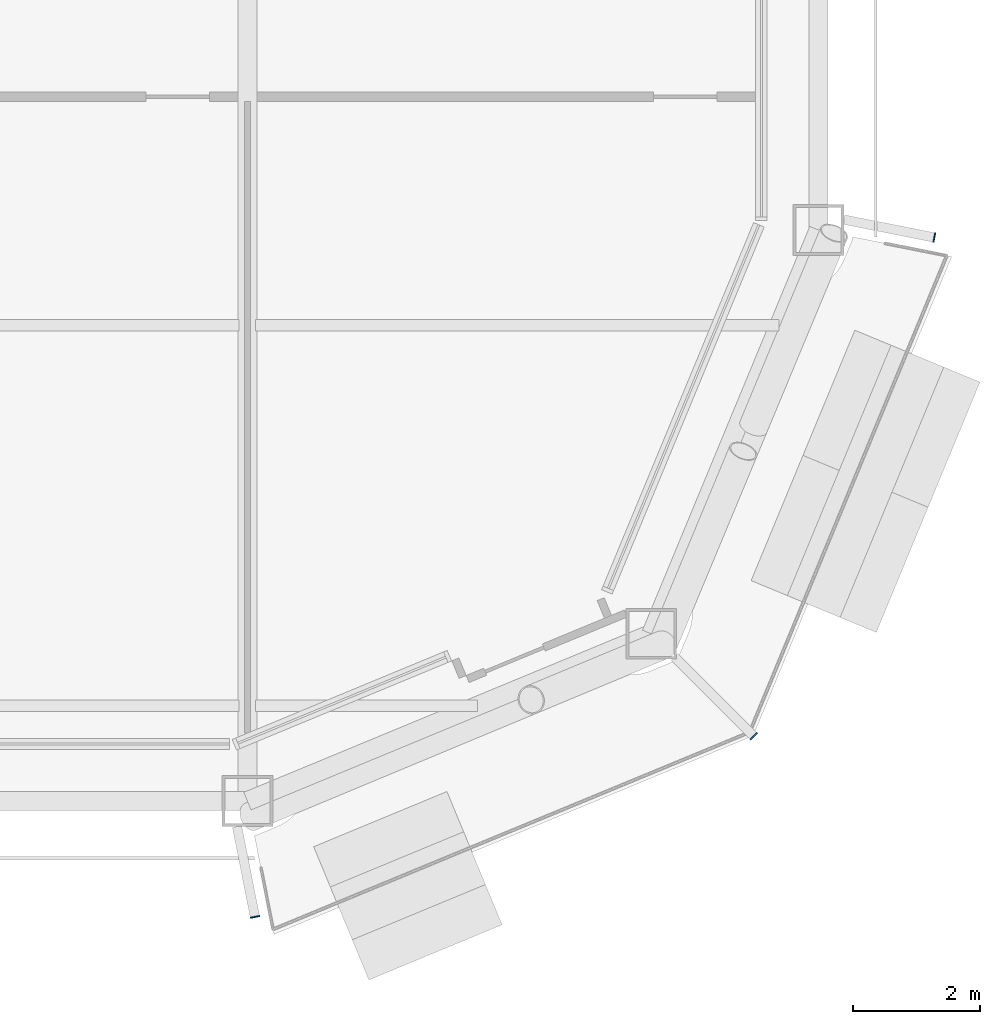
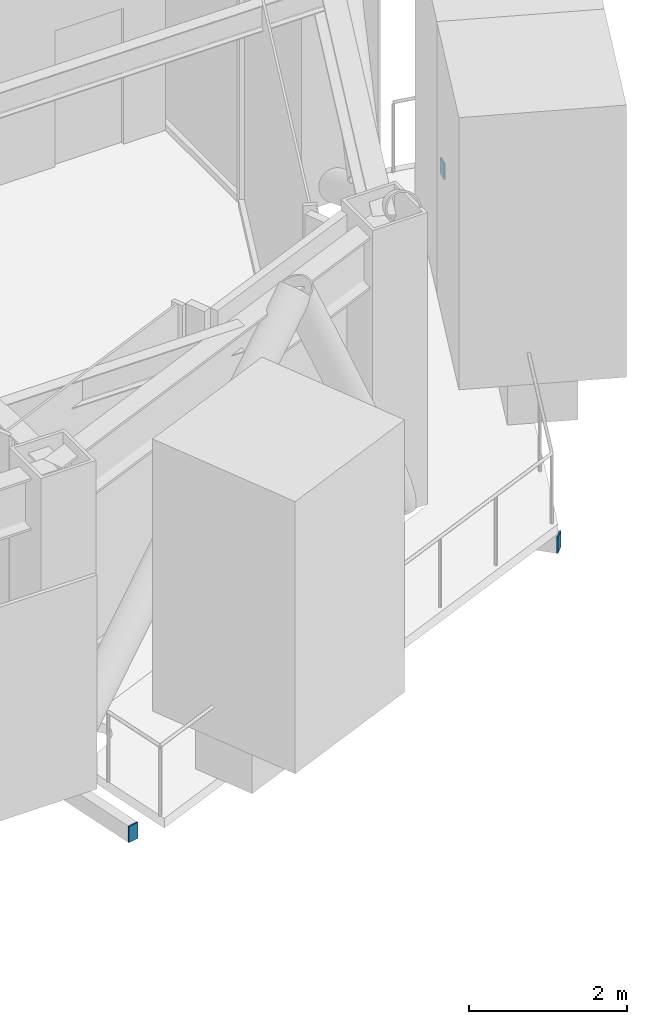
# One storey, part 16 of 22: 3 discrete accessories.
"""IFC4 building model written with IfcOpenShell, lengths in metres."""

from ifc_helpers import new_model, si_unit, direction, frame, origin, origin_2d, place, context, subcontext, project, spatial, rectangle, extrude, material, layer, layer_set, type_object, element, save


model = new_model("IFC4")

# Units and contexts
model_context = context("Model", 3, precision=1e-05, world=origin(), true_north=direction((0.0, 1.0)))
body_context = subcontext(model_context, "Body", "Model", "MODEL_VIEW")
ifc_project = project(units=[si_unit("LENGTHUNIT", "METRE"), si_unit("AREAUNIT", "SQUARE_METRE"), si_unit("VOLUMEUNIT", "CUBIC_METRE"), si_unit("PLANEANGLEUNIT", "RADIAN"), si_unit("MASSUNIT", "GRAM", prefix="KILO")], contexts=[model_context])

# Site, building, storey
site_placement = place(None, origin())
site = spatial("IfcSite", under=ifc_project, at=site_placement, CompositionType="ELEMENT")
building_placement = place(site_placement, origin())
building = spatial("IfcBuilding", under=site, at=building_placement, Name="Siwar Civic Tower", CompositionType="ELEMENT")
storey_placement = place(building_placement, frame((0.0, 0.0, 255.699951171875)))
storey = spatial("IfcBuildingStorey", under=building, at=storey_placement, Name="L55", CompositionType="ELEMENT", Elevation=255.699951171875)

# Discrete accessories
ifc_material = material(Name="Steel S355", Category="steel")
ifc_layer = layer(ifc_material, 0.02001953125)
ifc_layer_set = layer_set([ifc_layer], Name="Steel S355")
discrete_accessory_type = type_object("IfcDiscreteAccessoryType", Name="STR-END-CAP", PredefinedType="USERDEFINED", material=ifc_layer_set)
for number, where, z_axis, x_axis, name in (
    (1, (18.118408203125, -28.8251953125, -0.39990234375), (0.0, 0.0, 1.0), (0.195090321691, -0.980785280468, 0.0), "End cap plate Balcony cantilever beam SE 1"),
    (2, (25.978271484375, -25.978271484375, -0.39990234375), (0.0, 0.0, 1.0), (0.707106781187, -0.707106781187, 0.0), "End cap plate Balcony cantilever beam SE 2"),
    (3, (28.8251953125, -18.118408203125, -0.39990234375), (0.0, 0.0, 1.0), (0.980785280468, -0.195090321691, 0.0), "End cap plate Balcony cantilever beam SE 3"),
):
    element("IfcDiscreteAccessory", number, at=place(storey_placement, frame(where, z_axis=z_axis, x_axis=x_axis)), inside=storey, type_object=discrete_accessory_type, Name=name, ObjectType="END CAP PLATE", PredefinedType="USERDEFINED", context=body_context, shape_type="SweptSolid", body=[
        extrude(rectangle(XDim=0.02001953125, YDim=0.14990234375, at=origin_2d()), origin(), (0.0, 0.0, 1.0), 0.25),
    ])

save(model, "model.ifc")
